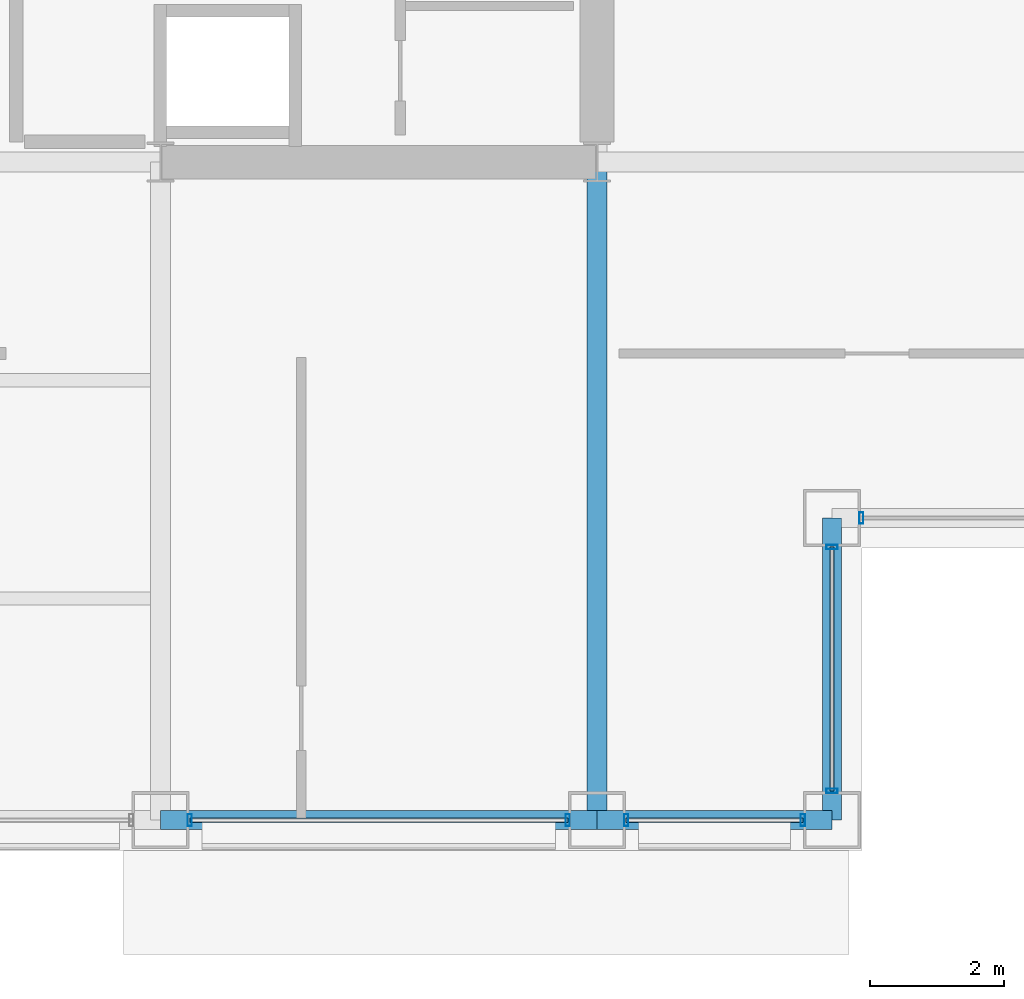
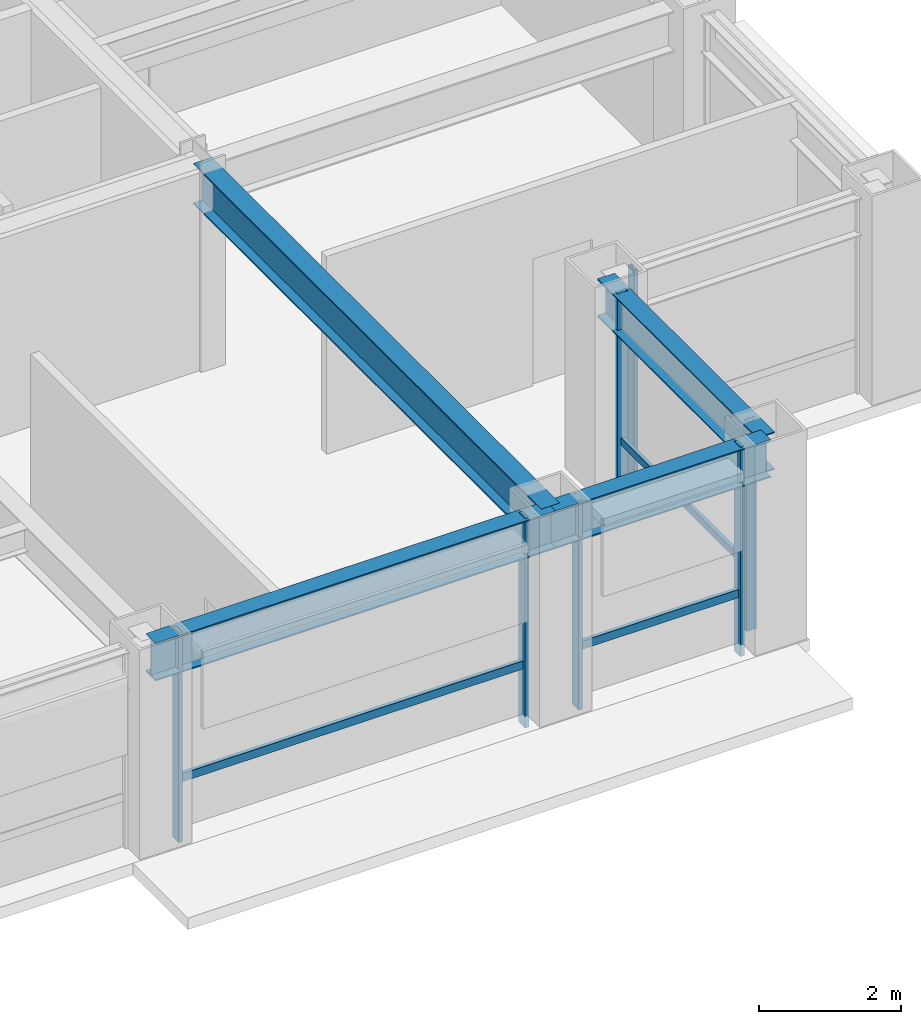
# One storey, part 13 of 34: 10 members, 4 beams, 4 elements without a shape of their own.
"""IFC4 building model written with IfcOpenShell, lengths in metres."""

from ifc_helpers import new_model, si_unit, direction, frame, origin, origin_2d, place, context, subcontext, project, spatial, hollow_rectangle, i_section, extrude, material, layer, layer_set, material_profile, profile_set, type_object, element, aggregate, save


model = new_model("IFC4")

# Units and contexts
model_context = context("Model", 3, precision=1e-05, world=origin(), true_north=direction((0.0, 1.0)))
body_context = subcontext(model_context, "Body", "Model", "MODEL_VIEW")
ifc_project = project(units=[si_unit("LENGTHUNIT", "METRE"), si_unit("AREAUNIT", "SQUARE_METRE"), si_unit("VOLUMEUNIT", "CUBIC_METRE"), si_unit("PLANEANGLEUNIT", "RADIAN"), si_unit("MASSUNIT", "GRAM", prefix="KILO")], contexts=[model_context])

# Site, building, storey
site_placement = place(None, origin())
site = spatial("IfcSite", under=ifc_project, at=site_placement, CompositionType="ELEMENT")
building_placement = place(site_placement, origin())
building = spatial("IfcBuilding", under=site, at=building_placement, Name="Brelmoor Portico Tower", CompositionType="ELEMENT")
storey_placement = place(building_placement, frame((0.0, 0.0, 117.0)))
storey = spatial("IfcBuildingStorey", under=building, at=storey_placement, Name="L30", CompositionType="ELEMENT", Elevation=117.0)

# Beams
ifc_material_1 = material(Name="Steel Q355B", Category="steel")
ifc_material_profile_1 = material_profile(ifc_material_1, i_section(OverallWidth=0.300048828125, OverallDepth=0.699951171875, WebThickness=0.012939453125, FlangeThickness=0.02392578125, at=origin_2d()), Name="HN 700x300x13x24")
ifc_profile_set_1 = profile_set([ifc_material_profile_1], Name="Steel Q355B")
beam_type_1 = type_object("IfcBeamType", Name="BM-PG-700", PredefinedType="BEAM", material=ifc_profile_set_1)
beam_1_placement = place(storey_placement, frame((14.550048828125, -19.550048828125, 3.050048828125), z_axis=(0.0, 1.0, 0.0), x_axis=(-1.0, 0.0, 0.0)))
element("IfcBeam", 1, at=beam_1_placement, inside=storey, type_object=beam_type_1, Name="L30 Primary Floor Girder PG-10", PredefinedType="BEAM", context=body_context, shape_type="SweptSolid", body=[
    extrude(i_section(OverallWidth=0.300048828125, OverallDepth=0.699951171875, WebThickness=0.012939453125, FlangeThickness=0.02392578125, at=origin_2d()), origin(), (0.0, 0.0, 1.0), 9.800048828125),
])
ifc_material_profile_2 = material_profile(ifc_material_1, i_section(OverallWidth=0.280029296875, OverallDepth=0.64990234375, WebThickness=0.012939453125, FlangeThickness=0.02197265625, at=origin_2d()), Name="HN 650x280x13x22")
ifc_profile_set_2 = profile_set([ifc_material_profile_2], Name="Steel Q355B")
beam_type_2 = type_object("IfcBeamType", Name="BM-SP-650", PredefinedType="SPANDREL", material=ifc_profile_set_2)
beam_2_placement = place(storey_placement, frame((8.050048828125, -19.550048828125, 3.074951171875), z_axis=(1.0, 0.0, 0.0), x_axis=(0.0, 1.0, 0.0)))
element("IfcBeam", 2, at=beam_2_placement, inside=storey, type_object=beam_type_2, Name="L30 Perimeter Spandrel Beam SP-04", PredefinedType="SPANDREL", context=body_context, shape_type="SweptSolid", body=[
    extrude(i_section(OverallWidth=0.280029296875, OverallDepth=0.64990234375, WebThickness=0.012939453125, FlangeThickness=0.02197265625, at=origin_2d()), origin(), (0.0, 0.0, 1.0), 6.5),
])
beam_3_placement = place(storey_placement, frame((14.550048828125, -19.550048828125, 3.074951171875), z_axis=(1.0, 0.0, 0.0), x_axis=(0.0, 1.0, 0.0)))
element("IfcBeam", 3, at=beam_3_placement, inside=storey, type_object=beam_type_2, Name="L30 Perimeter Spandrel Beam SP-05", PredefinedType="SPANDREL", context=body_context, shape_type="SweptSolid", body=[
    extrude(i_section(OverallWidth=0.280029296875, OverallDepth=0.64990234375, WebThickness=0.012939453125, FlangeThickness=0.02197265625, at=origin_2d()), origin(), (0.0, 0.0, 1.0), 3.5),
])
beam_4_placement = place(storey_placement, frame((18.050048828125, -19.550048828125, 3.074951171875), z_axis=(0.0, 1.0, 0.0), x_axis=(-1.0, 0.0, 0.0)))
element("IfcBeam", 4, at=beam_4_placement, inside=storey, type_object=beam_type_2, Name="L30 Perimeter Spandrel Beam SP-20", PredefinedType="SPANDREL", context=body_context, shape_type="SweptSolid", body=[
    extrude(i_section(OverallWidth=0.280029296875, OverallDepth=0.64990234375, WebThickness=0.012939453125, FlangeThickness=0.02197265625, at=origin_2d()), origin(), (0.0, 0.0, 1.0), 4.5),
])

# Curtain wall, member
ifc_material_2 = material(Name="Anodised Aluminium Alloy 6063-T6", Category="aluminium")
ifc_layer_1 = layer(ifc_material_2, 0.179931640625)
ifc_layer_set_1 = layer_set([ifc_layer_1], Name="Anodised Aluminium Alloy 6063-T6")
curtain_wall_type_1 = type_object("IfcCurtainWallType", Name="CW-NOTCH-CHAMFER", PredefinedType="NOTDEFINED", material=ifc_layer_set_1)
curtain_wall_1_placement = place(storey_placement, origin())
curtain_wall_1 = element("IfcCurtainWall", 5, at=curtain_wall_1_placement, inside=storey, type_object=curtain_wall_type_1, Name="L30 Curtain Wall CWN-L30-SEH", PredefinedType="NOTDEFINED")
ifc_material_profile_3 = material_profile(ifc_material_2, hollow_rectangle(XDim=0.06494140625, YDim=0.1650390625, WallThickness=0.00390625, at=origin_2d()), Name="ALU MULLION 65x165")
ifc_profile_set_3 = profile_set([ifc_material_profile_3], Name="Anodised Aluminium Alloy 6063-T6")
member_type_1 = type_object("IfcMemberType", Name="MB-CW-MULL-165", PredefinedType="MULLION", material=ifc_profile_set_3)
member_1_placement = place(storey_placement, frame((18.485107421875, -15.050048828125, -0.199951171875), z_axis=(0.0, 0.0, 1.0), x_axis=(1.0, 0.0, 0.0)))
member_1 = element("IfcMember", 6, at=member_1_placement, type_object=member_type_1, Name="CWN-L30-SEH Mullion 00", PredefinedType="MULLION", context=body_context, shape_type="SweptSolid", body=[
    extrude(hollow_rectangle(XDim=0.06494140625, YDim=0.1650390625, WallThickness=0.00390625, at=origin_2d()), origin(), (0.0, 0.0, 1.0), 3.599853515625),
])
aggregate(curtain_wall_1, [member_1])

# Curtain wall, members
curtain_wall_2_placement = place(storey_placement, origin())
curtain_wall_2 = element("IfcCurtainWall", 7, at=curtain_wall_2_placement, inside=storey, type_object=curtain_wall_type_1, Name="L30 Curtain Wall CWN-L30-SEV", PredefinedType="NOTDEFINED")
member_2_placement = place(storey_placement, frame((18.050048828125, -19.114990234375, -0.199951171875), z_axis=(0.0, 0.0, 1.0), x_axis=(0.0, 1.0, 0.0)))
member_2 = element("IfcMember", 8, at=member_2_placement, type_object=member_type_1, Name="CWN-L30-SEV Mullion 00", PredefinedType="MULLION", context=body_context, shape_type="SweptSolid", body=[
    extrude(hollow_rectangle(XDim=0.06494140625, YDim=0.1650390625, WallThickness=0.00390625, at=origin_2d()), origin(), (0.0, 0.0, 1.0), 3.599853515625),
])
member_3_placement = place(storey_placement, frame((18.050048828125, -15.485107421875, -0.199951171875), z_axis=(0.0, 0.0, 1.0), x_axis=(0.0, 1.0, 0.0)))
member_3 = element("IfcMember", 9, at=member_3_placement, type_object=member_type_1, Name="CWN-L30-SEV Mullion 01", PredefinedType="MULLION", context=body_context, shape_type="SweptSolid", body=[
    extrude(hollow_rectangle(XDim=0.06494140625, YDim=0.1650390625, WallThickness=0.00390625, at=origin_2d()), origin(), (0.0, 0.0, 1.0), 3.599853515625),
])

ifc_layer_2 = layer(ifc_material_2, 0.179931640625)
ifc_layer_set_2 = layer_set([ifc_layer_2], Name="Anodised Aluminium Alloy 6063-T6")
curtain_wall_type_2 = type_object("IfcCurtainWallType", Name="CW-TOWER-Z2", PredefinedType="NOTDEFINED", material=ifc_layer_set_2)
curtain_wall_3_placement = place(storey_placement, origin())
curtain_wall_3 = element("IfcCurtainWall", 10, at=curtain_wall_3_placement, inside=storey, type_object=curtain_wall_type_2, Name="L30 Curtain Wall CW-L30-01-4", PredefinedType="NOTDEFINED")
ifc_material_profile_4 = material_profile(ifc_material_2, hollow_rectangle(XDim=0.06494140625, YDim=0.179931640625, WallThickness=0.00390625, at=origin_2d()), Name="ALU MULLION 65x180")
ifc_profile_set_4 = profile_set([ifc_material_profile_4], Name="Anodised Aluminium Alloy 6063-T6")
member_type_2 = type_object("IfcMemberType", Name="MB-CW-MULL-180", PredefinedType="MULLION", material=ifc_profile_set_4)
member_4_placement = place(storey_placement, frame((8.485107421875, -19.550048828125, -0.199951171875), z_axis=(0.0, 0.0, 1.0), x_axis=(1.0, 0.0, 0.0)))
member_4 = element("IfcMember", 11, at=member_4_placement, type_object=member_type_2, Name="CW-L30-01-4 Mullion 00", PredefinedType="MULLION", context=body_context, shape_type="SweptSolid", body=[
    extrude(hollow_rectangle(XDim=0.06494140625, YDim=0.179931640625, WallThickness=0.00390625, at=origin_2d()), origin(), (0.0, 0.0, 1.0), 3.599853515625),
])
member_5_placement = place(storey_placement, frame((14.114990234375, -19.550048828125, -0.199951171875), z_axis=(0.0, 0.0, 1.0), x_axis=(1.0, 0.0, 0.0)))
member_5 = element("IfcMember", 12, at=member_5_placement, type_object=member_type_2, Name="CW-L30-01-4 Mullion 01", PredefinedType="MULLION", context=body_context, shape_type="SweptSolid", body=[
    extrude(hollow_rectangle(XDim=0.06494140625, YDim=0.179931640625, WallThickness=0.00390625, at=origin_2d()), origin(), (0.0, 0.0, 1.0), 3.599853515625),
])

curtain_wall_4_placement = place(storey_placement, origin())
curtain_wall_4 = element("IfcCurtainWall", 13, at=curtain_wall_4_placement, inside=storey, type_object=curtain_wall_type_2, Name="L30 Curtain Wall CW-L30-01-5", PredefinedType="NOTDEFINED")
member_6_placement = place(storey_placement, frame((14.985107421875, -19.550048828125, -0.199951171875), z_axis=(0.0, 0.0, 1.0), x_axis=(1.0, 0.0, 0.0)))
member_6 = element("IfcMember", 14, at=member_6_placement, type_object=member_type_2, Name="CW-L30-01-5 Mullion 00", PredefinedType="MULLION", context=body_context, shape_type="SweptSolid", body=[
    extrude(hollow_rectangle(XDim=0.06494140625, YDim=0.179931640625, WallThickness=0.00390625, at=origin_2d()), origin(), (0.0, 0.0, 1.0), 3.599853515625),
])
member_7_placement = place(storey_placement, frame((17.614990234375, -19.550048828125, -0.199951171875), z_axis=(0.0, 0.0, 1.0), x_axis=(1.0, 0.0, 0.0)))
member_7 = element("IfcMember", 15, at=member_7_placement, type_object=member_type_2, Name="CW-L30-01-5 Mullion 01", PredefinedType="MULLION", context=body_context, shape_type="SweptSolid", body=[
    extrude(hollow_rectangle(XDim=0.06494140625, YDim=0.179931640625, WallThickness=0.00390625, at=origin_2d()), origin(), (0.0, 0.0, 1.0), 3.599853515625),
])

# Member
ifc_material_profile_5 = material_profile(ifc_material_2, hollow_rectangle(XDim=0.06005859375, YDim=0.125, WallThickness=0.00341796875, at=origin_2d()), Name="ALU TRANSOM 60x125")
ifc_profile_set_5 = profile_set([ifc_material_profile_5], Name="Anodised Aluminium Alloy 6063-T6")
member_type_3 = type_object("IfcMemberType", Name="MB-CW-TRAN-125", PredefinedType="USERDEFINED", material=ifc_profile_set_5)
member_8_placement = place(storey_placement, frame((18.050048828125, -19.114990234375, 0.85009765625), z_axis=(0.0, 1.0, 0.0), x_axis=(-1.0, 0.0, 0.0)))
member_8 = element("IfcMember", 16, at=member_8_placement, type_object=member_type_3, Name="CWN-L30-SEV Transom 1-00", ObjectType="TRANSOM", PredefinedType="USERDEFINED", context=body_context, shape_type="SweptSolid", body=[
    extrude(hollow_rectangle(XDim=0.06005859375, YDim=0.125, WallThickness=0.00341796875, at=origin_2d()), origin(), (0.0, 0.0, 1.0), 3.6298828125),
])

aggregate(curtain_wall_2, [member_2, member_3, member_8])

ifc_material_profile_6 = material_profile(ifc_material_2, hollow_rectangle(XDim=0.06494140625, YDim=0.139892578125, WallThickness=0.00390625, at=origin_2d()), Name="ALU TRANSOM 65x140")
ifc_profile_set_6 = profile_set([ifc_material_profile_6], Name="Anodised Aluminium Alloy 6063-T6")
member_type_4 = type_object("IfcMemberType", Name="MB-CW-TRAN-140", PredefinedType="USERDEFINED", material=ifc_profile_set_6)
member_9_placement = place(storey_placement, frame((8.485107421875, -19.550048828125, 0.85009765625), z_axis=(1.0, 0.0, 0.0), x_axis=(0.0, 1.0, 0.0)))
member_9 = element("IfcMember", 17, at=member_9_placement, type_object=member_type_4, Name="CW-L30-01-4 Transom 1-00", ObjectType="TRANSOM", PredefinedType="USERDEFINED", context=body_context, shape_type="SweptSolid", body=[
    extrude(hollow_rectangle(XDim=0.06494140625, YDim=0.139892578125, WallThickness=0.00390625, at=origin_2d()), origin(), (0.0, 0.0, 1.0), 5.6298828125),
])

aggregate(curtain_wall_3, [member_4, member_5, member_9])

member_10_placement = place(storey_placement, frame((14.985107421875, -19.550048828125, 0.85009765625), z_axis=(1.0, 0.0, 0.0), x_axis=(0.0, 1.0, 0.0)))
member_10 = element("IfcMember", 18, at=member_10_placement, type_object=member_type_4, Name="CW-L30-01-5 Transom 1-00", ObjectType="TRANSOM", PredefinedType="USERDEFINED", context=body_context, shape_type="SweptSolid", body=[
    extrude(hollow_rectangle(XDim=0.06494140625, YDim=0.139892578125, WallThickness=0.00390625, at=origin_2d()), origin(), (0.0, 0.0, 1.0), 2.6298828125),
])

aggregate(curtain_wall_4, [member_6, member_7, member_10])

save(model, "model.ifc")
